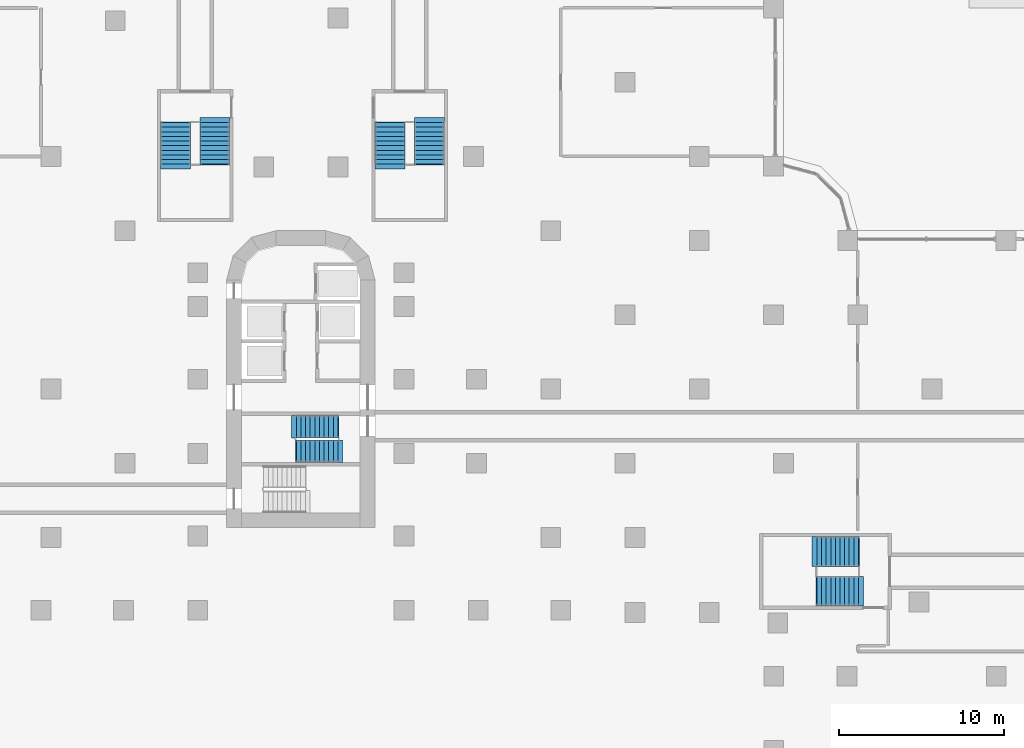
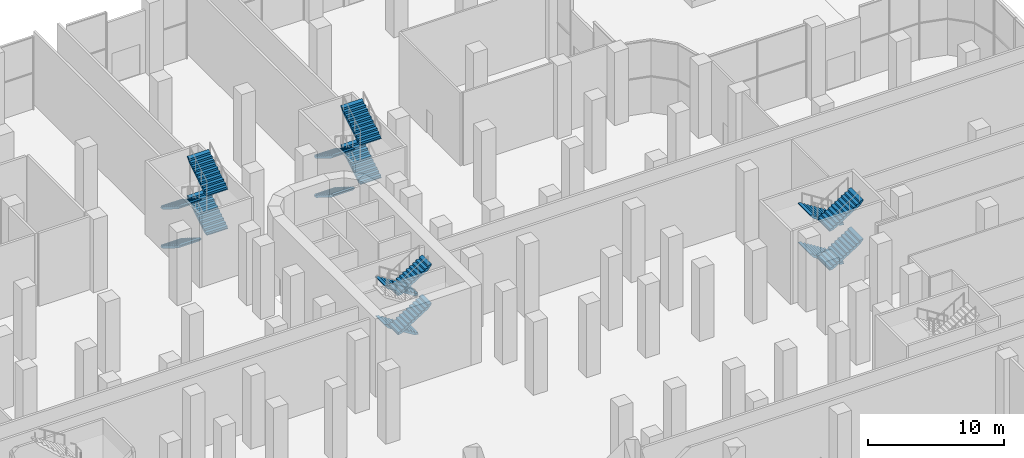
# One storey, part 29 of 34: 16 stair flights, 4 elements without a shape of their own.
"""IFC4 building model written with IfcOpenShell, lengths in metres."""

from ifc_helpers import new_model, si_unit, direction, frame, origin, place, context, subcontext, project, spatial, polyline, outline, extrude, material, type_object, element, aggregate, save


model = new_model("IFC4")

# Units and contexts
model_context = context("Model", 3, precision=1e-05, world=origin(), true_north=direction((0.0, 1.0)))
body_context = subcontext(model_context, "Body", "Model", "MODEL_VIEW")
ifc_project = project(units=[si_unit("LENGTHUNIT", "METRE"), si_unit("AREAUNIT", "SQUARE_METRE"), si_unit("VOLUMEUNIT", "CUBIC_METRE"), si_unit("PLANEANGLEUNIT", "RADIAN"), si_unit("MASSUNIT", "GRAM", prefix="KILO")], contexts=[model_context])

# Site, building, storey
site_placement = place(None, origin())
site = spatial("IfcSite", under=ifc_project, at=site_placement, CompositionType="ELEMENT")
building_placement = place(site_placement, origin())
building = spatial("IfcBuilding", under=site, at=building_placement, Name="Zarbagh Exchange Tower", CompositionType="ELEMENT")
storey_placement = place(building_placement, origin())
storey = spatial("IfcBuildingStorey", under=building, at=storey_placement, Name="L00", CompositionType="ELEMENT", Elevation=0.0)

# Stair, stair flights
ifc_material = material(Name="Concrete C40/50", Category="concrete")
stair_type = type_object("IfcStairType", Name="Exit stair two-flight half-turn", PredefinedType="HALF_TURN_STAIR", material=ifc_material)
stair_1_placement = place(storey_placement, origin())
stair_1 = element("IfcStair", 1, at=stair_1_placement, inside=storey, type_object=stair_type, Name="exit stair ST1", PredefinedType="HALF_TURN_STAIR")
stair_flight_type_1 = type_object("IfcStairFlightType", Name="Stair flight 1350 mm", PredefinedType="STRAIGHT", material=ifc_material)
stair_flight_1_placement = place(storey_placement, frame((2.25, 17.375, 0.0), z_axis=(0.0, 0.0, 1.0), x_axis=(-1.0, 0.0, 0.0)))
stair_flight_1 = element("IfcStairFlight", 2, at=stair_flight_1_placement, type_object=stair_flight_type_1, Name="ST1 flight 1", NumberOfRisers=10, NumberOfTreads=9, PredefinedType="STRAIGHT", RiserHeight=0.175, TreadLength=0.28, context=body_context, shape_type="SweptSolid", body=[
    extrude(outline(polyline([(-0.050048828125, -0.050048828125), (-0.050048828125, 0.0), (0.0, 0.0), (0.0, 0.175048828125), (0.280029296875, 0.175048828125), (0.280029296875, 0.35009765625), (0.56005859375, 0.35009765625), (0.56005859375, 0.52490234375), (0.840087890625, 0.52490234375), (0.840087890625, 0.699951171875), (1.1201171875, 0.699951171875), (1.1201171875, 0.875), (1.39990234375, 0.875), (1.39990234375, 1.050048828125), (1.679931640625, 1.050048828125), (1.679931640625, 1.22509765625), (1.9599609375, 1.22509765625), (1.9599609375, 1.39990234375), (2.239990234375, 1.39990234375), (2.239990234375, 1.574951171875), (2.52001953125, 1.574951171875), (2.52001953125, 1.75), (2.820068359375, 1.830078125), (2.820068359375, 1.75), (2.52001953125, 1.398193359375), (0.28271484375, 0.0), (-0.050048828125, -0.050048828125)])), frame((0.0, 0.675048828125, 0.0), z_axis=(0.0, -1.0, 0.0), x_axis=(1.0, 0.0, 0.0)), (0.0, 0.0, 1.0), 1.35009765625),
])
stair_flight_2_placement = place(storey_placement, frame((-0.27001953125, 15.875, 1.75), z_axis=(0.0, 0.0, 1.0), x_axis=(1.0, 0.0, 0.0)))
stair_flight_2 = element("IfcStairFlight", 3, at=stair_flight_2_placement, type_object=stair_flight_type_1, Name="ST1 flight 2", NumberOfRisers=10, NumberOfTreads=9, PredefinedType="STRAIGHT", RiserHeight=0.175, TreadLength=0.28, context=body_context, shape_type="SweptSolid", body=[
    extrude(outline(polyline([(-0.050048828125, -0.050048828125), (-0.050048828125, 0.0), (0.0, 0.0), (0.0, 0.175048828125), (0.280029296875, 0.175048828125), (0.280029296875, 0.35009765625), (0.56005859375, 0.35009765625), (0.56005859375, 0.52490234375), (0.840087890625, 0.52490234375), (0.840087890625, 0.699951171875), (1.1201171875, 0.699951171875), (1.1201171875, 0.875), (1.39990234375, 0.875), (1.39990234375, 1.050048828125), (1.679931640625, 1.050048828125), (1.679931640625, 1.22509765625), (1.9599609375, 1.22509765625), (1.9599609375, 1.39990234375), (2.239990234375, 1.39990234375), (2.239990234375, 1.574951171875), (2.52001953125, 1.574951171875), (2.52001953125, 1.75), (2.820068359375, 1.830078125), (2.820068359375, 1.75), (2.52001953125, 1.398193359375), (0.28271484375, 0.0), (-0.050048828125, -0.050048828125)])), frame((0.0, 0.675048828125, 0.0), z_axis=(0.0, -1.0, 0.0), x_axis=(1.0, 0.0, 0.0)), (0.0, 0.0, 1.0), 1.35009765625),
])
stair_flight_3_placement = place(storey_placement, frame((2.25, 17.375, 3.5), z_axis=(0.0, 0.0, 1.0), x_axis=(-1.0, 0.0, 0.0)))
stair_flight_3 = element("IfcStairFlight", 4, at=stair_flight_3_placement, type_object=stair_flight_type_1, Name="ST1 flight 3", NumberOfRisers=10, NumberOfTreads=9, PredefinedType="STRAIGHT", RiserHeight=0.175, TreadLength=0.28, context=body_context, shape_type="SweptSolid", body=[
    extrude(outline(polyline([(-0.050048828125, -0.050048828125), (-0.050048828125, 0.0), (0.0, 0.0), (0.0, 0.175048828125), (0.280029296875, 0.175048828125), (0.280029296875, 0.35009765625), (0.56005859375, 0.35009765625), (0.56005859375, 0.52490234375), (0.840087890625, 0.52490234375), (0.840087890625, 0.699951171875), (1.1201171875, 0.699951171875), (1.1201171875, 0.875), (1.39990234375, 0.875), (1.39990234375, 1.050048828125), (1.679931640625, 1.050048828125), (1.679931640625, 1.22509765625), (1.9599609375, 1.22509765625), (1.9599609375, 1.39990234375), (2.239990234375, 1.39990234375), (2.239990234375, 1.574951171875), (2.52001953125, 1.574951171875), (2.52001953125, 1.75), (2.820068359375, 1.830078125), (2.820068359375, 1.75), (2.52001953125, 1.398193359375), (0.28271484375, 0.0), (-0.050048828125, -0.050048828125)])), frame((0.0, 0.675048828125, 0.0), z_axis=(0.0, -1.0, 0.0), x_axis=(1.0, 0.0, 0.0)), (0.0, 0.0, 1.0), 1.35009765625),
])
stair_flight_4_placement = place(storey_placement, frame((-0.27001953125, 15.875, 5.25), z_axis=(0.0, 0.0, 1.0), x_axis=(1.0, 0.0, 0.0)))
stair_flight_4 = element("IfcStairFlight", 5, at=stair_flight_4_placement, type_object=stair_flight_type_1, Name="ST1 flight 4", NumberOfRisers=10, NumberOfTreads=9, PredefinedType="STRAIGHT", RiserHeight=0.175, TreadLength=0.28, context=body_context, shape_type="SweptSolid", body=[
    extrude(outline(polyline([(-0.050048828125, -0.050048828125), (-0.050048828125, 0.0), (0.0, 0.0), (0.0, 0.175048828125), (0.280029296875, 0.175048828125), (0.280029296875, 0.35009765625), (0.56005859375, 0.35009765625), (0.56005859375, 0.52490234375), (0.840087890625, 0.52490234375), (0.840087890625, 0.699951171875), (1.1201171875, 0.699951171875), (1.1201171875, 0.875), (1.39990234375, 0.875), (1.39990234375, 1.050048828125), (1.679931640625, 1.050048828125), (1.679931640625, 1.22509765625), (1.9599609375, 1.22509765625), (1.9599609375, 1.39990234375), (2.239990234375, 1.39990234375), (2.239990234375, 1.574951171875), (2.52001953125, 1.574951171875), (2.52001953125, 1.75), (2.820068359375, 1.830078125), (2.820068359375, 1.75), (2.52001953125, 1.398193359375), (0.28271484375, 0.0), (-0.050048828125, -0.050048828125)])), frame((0.0, 0.675048828125, 0.0), z_axis=(0.0, -1.0, 0.0), x_axis=(1.0, 0.0, 0.0)), (0.0, 0.0, 1.0), 1.35009765625),
])
aggregate(stair_1, [stair_flight_1, stair_flight_2, stair_flight_3, stair_flight_4])

stair_2_placement = place(storey_placement, origin())
stair_2 = element("IfcStair", 6, at=stair_2_placement, inside=storey, type_object=stair_type, Name="exit stair PS1", PredefinedType="HALF_TURN_STAIR")
stair_flight_type_2 = type_object("IfcStairFlightType", Name="Stair flight 1800 mm", PredefinedType="STRAIGHT", material=ifc_material)
stair_flight_5_placement = place(storey_placement, frame((-7.60009765625, 35.800048828125, 0.0), z_axis=(0.0, 0.0, 1.0), x_axis=(0.0, -1.0, 0.0)))
stair_flight_5 = element("IfcStairFlight", 7, at=stair_flight_5_placement, type_object=stair_flight_type_2, Name="PS1 flight 1", NumberOfRisers=10, NumberOfTreads=9, PredefinedType="STRAIGHT", RiserHeight=0.175, TreadLength=0.28, context=body_context, shape_type="SweptSolid", body=[
    extrude(outline(polyline([(-0.050048828125, -0.050048828125), (-0.050048828125, 0.0), (0.0, 0.0), (0.0, 0.175048828125), (0.280029296875, 0.175048828125), (0.280029296875, 0.35009765625), (0.56005859375, 0.35009765625), (0.56005859375, 0.52490234375), (0.840087890625, 0.52490234375), (0.840087890625, 0.699951171875), (1.1201171875, 0.699951171875), (1.1201171875, 0.875), (1.39990234375, 0.875), (1.39990234375, 1.050048828125), (1.679931640625, 1.050048828125), (1.679931640625, 1.22509765625), (1.9599609375, 1.22509765625), (1.9599609375, 1.39990234375), (2.239990234375, 1.39990234375), (2.239990234375, 1.574951171875), (2.52001953125, 1.574951171875), (2.52001953125, 1.75), (2.820068359375, 1.830078125), (2.820068359375, 1.75), (2.52001953125, 1.398193359375), (0.28271484375, 0.0), (-0.050048828125, -0.050048828125)])), frame((0.0, 0.89990234375, 0.0), z_axis=(0.0, -1.0, 0.0), x_axis=(1.0, 0.0, 0.0)), (0.0, 0.0, 1.0), 1.800048828125),
])
stair_flight_6_placement = place(storey_placement, frame((-5.199951171875, 33.280029296875, 1.75), z_axis=(0.0, 0.0, 1.0), x_axis=(0.0, 1.0, 0.0)))
stair_flight_6 = element("IfcStairFlight", 8, at=stair_flight_6_placement, type_object=stair_flight_type_2, Name="PS1 flight 2", NumberOfRisers=10, NumberOfTreads=9, PredefinedType="STRAIGHT", RiserHeight=0.175, TreadLength=0.28, context=body_context, shape_type="SweptSolid", body=[
    extrude(outline(polyline([(-0.050048828125, -0.050048828125), (-0.050048828125, 0.0), (0.0, 0.0), (0.0, 0.175048828125), (0.280029296875, 0.175048828125), (0.280029296875, 0.35009765625), (0.56005859375, 0.35009765625), (0.56005859375, 0.52490234375), (0.840087890625, 0.52490234375), (0.840087890625, 0.699951171875), (1.1201171875, 0.699951171875), (1.1201171875, 0.875), (1.39990234375, 0.875), (1.39990234375, 1.050048828125), (1.679931640625, 1.050048828125), (1.679931640625, 1.22509765625), (1.9599609375, 1.22509765625), (1.9599609375, 1.39990234375), (2.239990234375, 1.39990234375), (2.239990234375, 1.574951171875), (2.52001953125, 1.574951171875), (2.52001953125, 1.75), (2.820068359375, 1.830078125), (2.820068359375, 1.75), (2.52001953125, 1.398193359375), (0.28271484375, 0.0), (-0.050048828125, -0.050048828125)])), frame((0.0, 0.89990234375, 0.0), z_axis=(0.0, -1.0, 0.0), x_axis=(1.0, 0.0, 0.0)), (0.0, 0.0, 1.0), 1.800048828125),
])
stair_flight_7_placement = place(storey_placement, frame((-7.60009765625, 35.800048828125, 3.5), z_axis=(0.0, 0.0, 1.0), x_axis=(0.0, -1.0, 0.0)))
stair_flight_7 = element("IfcStairFlight", 9, at=stair_flight_7_placement, type_object=stair_flight_type_2, Name="PS1 flight 3", NumberOfRisers=10, NumberOfTreads=9, PredefinedType="STRAIGHT", RiserHeight=0.175, TreadLength=0.28, context=body_context, shape_type="SweptSolid", body=[
    extrude(outline(polyline([(-0.050048828125, -0.050048828125), (-0.050048828125, 0.0), (0.0, 0.0), (0.0, 0.175048828125), (0.280029296875, 0.175048828125), (0.280029296875, 0.35009765625), (0.56005859375, 0.35009765625), (0.56005859375, 0.52490234375), (0.840087890625, 0.52490234375), (0.840087890625, 0.699951171875), (1.1201171875, 0.699951171875), (1.1201171875, 0.875), (1.39990234375, 0.875), (1.39990234375, 1.050048828125), (1.679931640625, 1.050048828125), (1.679931640625, 1.22509765625), (1.9599609375, 1.22509765625), (1.9599609375, 1.39990234375), (2.239990234375, 1.39990234375), (2.239990234375, 1.574951171875), (2.52001953125, 1.574951171875), (2.52001953125, 1.75), (2.820068359375, 1.830078125), (2.820068359375, 1.75), (2.52001953125, 1.398193359375), (0.28271484375, 0.0), (-0.050048828125, -0.050048828125)])), frame((0.0, 0.89990234375, 0.0), z_axis=(0.0, -1.0, 0.0), x_axis=(1.0, 0.0, 0.0)), (0.0, 0.0, 1.0), 1.800048828125),
])
stair_flight_8_placement = place(storey_placement, frame((-5.199951171875, 33.280029296875, 5.25), z_axis=(0.0, 0.0, 1.0), x_axis=(0.0, 1.0, 0.0)))
stair_flight_8 = element("IfcStairFlight", 10, at=stair_flight_8_placement, type_object=stair_flight_type_2, Name="PS1 flight 4", NumberOfRisers=10, NumberOfTreads=9, PredefinedType="STRAIGHT", RiserHeight=0.175, TreadLength=0.28, context=body_context, shape_type="SweptSolid", body=[
    extrude(outline(polyline([(-0.050048828125, -0.050048828125), (-0.050048828125, 0.0), (0.0, 0.0), (0.0, 0.175048828125), (0.280029296875, 0.175048828125), (0.280029296875, 0.35009765625), (0.56005859375, 0.35009765625), (0.56005859375, 0.52490234375), (0.840087890625, 0.52490234375), (0.840087890625, 0.699951171875), (1.1201171875, 0.699951171875), (1.1201171875, 0.875), (1.39990234375, 0.875), (1.39990234375, 1.050048828125), (1.679931640625, 1.050048828125), (1.679931640625, 1.22509765625), (1.9599609375, 1.22509765625), (1.9599609375, 1.39990234375), (2.239990234375, 1.39990234375), (2.239990234375, 1.574951171875), (2.52001953125, 1.574951171875), (2.52001953125, 1.75), (2.820068359375, 1.830078125), (2.820068359375, 1.75), (2.52001953125, 1.398193359375), (0.28271484375, 0.0), (-0.050048828125, -0.050048828125)])), frame((0.0, 0.89990234375, 0.0), z_axis=(0.0, -1.0, 0.0), x_axis=(1.0, 0.0, 0.0)), (0.0, 0.0, 1.0), 1.800048828125),
])
aggregate(stair_2, [stair_flight_5, stair_flight_6, stair_flight_7, stair_flight_8])

stair_3_placement = place(storey_placement, origin())
stair_3 = element("IfcStair", 11, at=stair_3_placement, inside=storey, type_object=stair_type, Name="exit stair PS2", PredefinedType="HALF_TURN_STAIR")
stair_flight_9_placement = place(storey_placement, frame((5.39990234375, 35.800048828125, 0.0), z_axis=(0.0, 0.0, 1.0), x_axis=(0.0, -1.0, 0.0)))
stair_flight_9 = element("IfcStairFlight", 12, at=stair_flight_9_placement, type_object=stair_flight_type_2, Name="PS2 flight 1", NumberOfRisers=10, NumberOfTreads=9, PredefinedType="STRAIGHT", RiserHeight=0.175, TreadLength=0.28, context=body_context, shape_type="SweptSolid", body=[
    extrude(outline(polyline([(-0.050048828125, -0.050048828125), (-0.050048828125, 0.0), (0.0, 0.0), (0.0, 0.175048828125), (0.280029296875, 0.175048828125), (0.280029296875, 0.35009765625), (0.56005859375, 0.35009765625), (0.56005859375, 0.52490234375), (0.840087890625, 0.52490234375), (0.840087890625, 0.699951171875), (1.1201171875, 0.699951171875), (1.1201171875, 0.875), (1.39990234375, 0.875), (1.39990234375, 1.050048828125), (1.679931640625, 1.050048828125), (1.679931640625, 1.22509765625), (1.9599609375, 1.22509765625), (1.9599609375, 1.39990234375), (2.239990234375, 1.39990234375), (2.239990234375, 1.574951171875), (2.52001953125, 1.574951171875), (2.52001953125, 1.75), (2.820068359375, 1.830078125), (2.820068359375, 1.75), (2.52001953125, 1.398193359375), (0.28271484375, 0.0), (-0.050048828125, -0.050048828125)])), frame((0.0, 0.89990234375, 0.0), z_axis=(0.0, -1.0, 0.0), x_axis=(1.0, 0.0, 0.0)), (0.0, 0.0, 1.0), 1.800048828125),
])
stair_flight_10_placement = place(storey_placement, frame((7.800048828125, 33.280029296875, 1.75), z_axis=(0.0, 0.0, 1.0), x_axis=(0.0, 1.0, 0.0)))
stair_flight_10 = element("IfcStairFlight", 13, at=stair_flight_10_placement, type_object=stair_flight_type_2, Name="PS2 flight 2", NumberOfRisers=10, NumberOfTreads=9, PredefinedType="STRAIGHT", RiserHeight=0.175, TreadLength=0.28, context=body_context, shape_type="SweptSolid", body=[
    extrude(outline(polyline([(-0.050048828125, -0.050048828125), (-0.050048828125, 0.0), (0.0, 0.0), (0.0, 0.175048828125), (0.280029296875, 0.175048828125), (0.280029296875, 0.35009765625), (0.56005859375, 0.35009765625), (0.56005859375, 0.52490234375), (0.840087890625, 0.52490234375), (0.840087890625, 0.699951171875), (1.1201171875, 0.699951171875), (1.1201171875, 0.875), (1.39990234375, 0.875), (1.39990234375, 1.050048828125), (1.679931640625, 1.050048828125), (1.679931640625, 1.22509765625), (1.9599609375, 1.22509765625), (1.9599609375, 1.39990234375), (2.239990234375, 1.39990234375), (2.239990234375, 1.574951171875), (2.52001953125, 1.574951171875), (2.52001953125, 1.75), (2.820068359375, 1.830078125), (2.820068359375, 1.75), (2.52001953125, 1.398193359375), (0.28271484375, 0.0), (-0.050048828125, -0.050048828125)])), frame((0.0, 0.89990234375, 0.0), z_axis=(0.0, -1.0, 0.0), x_axis=(1.0, 0.0, 0.0)), (0.0, 0.0, 1.0), 1.800048828125),
])
stair_flight_11_placement = place(storey_placement, frame((5.39990234375, 35.800048828125, 3.5), z_axis=(0.0, 0.0, 1.0), x_axis=(0.0, -1.0, 0.0)))
stair_flight_11 = element("IfcStairFlight", 14, at=stair_flight_11_placement, type_object=stair_flight_type_2, Name="PS2 flight 3", NumberOfRisers=10, NumberOfTreads=9, PredefinedType="STRAIGHT", RiserHeight=0.175, TreadLength=0.28, context=body_context, shape_type="SweptSolid", body=[
    extrude(outline(polyline([(-0.050048828125, -0.050048828125), (-0.050048828125, 0.0), (0.0, 0.0), (0.0, 0.175048828125), (0.280029296875, 0.175048828125), (0.280029296875, 0.35009765625), (0.56005859375, 0.35009765625), (0.56005859375, 0.52490234375), (0.840087890625, 0.52490234375), (0.840087890625, 0.699951171875), (1.1201171875, 0.699951171875), (1.1201171875, 0.875), (1.39990234375, 0.875), (1.39990234375, 1.050048828125), (1.679931640625, 1.050048828125), (1.679931640625, 1.22509765625), (1.9599609375, 1.22509765625), (1.9599609375, 1.39990234375), (2.239990234375, 1.39990234375), (2.239990234375, 1.574951171875), (2.52001953125, 1.574951171875), (2.52001953125, 1.75), (2.820068359375, 1.830078125), (2.820068359375, 1.75), (2.52001953125, 1.398193359375), (0.28271484375, 0.0), (-0.050048828125, -0.050048828125)])), frame((0.0, 0.89990234375, 0.0), z_axis=(0.0, -1.0, 0.0), x_axis=(1.0, 0.0, 0.0)), (0.0, 0.0, 1.0), 1.800048828125),
])
stair_flight_12_placement = place(storey_placement, frame((7.800048828125, 33.280029296875, 5.25), z_axis=(0.0, 0.0, 1.0), x_axis=(0.0, 1.0, 0.0)))
stair_flight_12 = element("IfcStairFlight", 15, at=stair_flight_12_placement, type_object=stair_flight_type_2, Name="PS2 flight 4", NumberOfRisers=10, NumberOfTreads=9, PredefinedType="STRAIGHT", RiserHeight=0.175, TreadLength=0.28, context=body_context, shape_type="SweptSolid", body=[
    extrude(outline(polyline([(-0.050048828125, -0.050048828125), (-0.050048828125, 0.0), (0.0, 0.0), (0.0, 0.175048828125), (0.280029296875, 0.175048828125), (0.280029296875, 0.35009765625), (0.56005859375, 0.35009765625), (0.56005859375, 0.52490234375), (0.840087890625, 0.52490234375), (0.840087890625, 0.699951171875), (1.1201171875, 0.699951171875), (1.1201171875, 0.875), (1.39990234375, 0.875), (1.39990234375, 1.050048828125), (1.679931640625, 1.050048828125), (1.679931640625, 1.22509765625), (1.9599609375, 1.22509765625), (1.9599609375, 1.39990234375), (2.239990234375, 1.39990234375), (2.239990234375, 1.574951171875), (2.52001953125, 1.574951171875), (2.52001953125, 1.75), (2.820068359375, 1.830078125), (2.820068359375, 1.75), (2.52001953125, 1.398193359375), (0.28271484375, 0.0), (-0.050048828125, -0.050048828125)])), frame((0.0, 0.89990234375, 0.0), z_axis=(0.0, -1.0, 0.0), x_axis=(1.0, 0.0, 0.0)), (0.0, 0.0, 1.0), 1.800048828125),
])
aggregate(stair_3, [stair_flight_9, stair_flight_10, stair_flight_11, stair_flight_12])

stair_4_placement = place(storey_placement, origin())
stair_4 = element("IfcStair", 16, at=stair_4_placement, inside=storey, type_object=stair_type, Name="exit stair PS3", PredefinedType="HALF_TURN_STAIR")
stair_flight_13_placement = place(storey_placement, frame((33.800048828125, 9.800048828125, 0.0), z_axis=(0.0, 0.0, 1.0), x_axis=(-1.0, 0.0, 0.0)))
stair_flight_13 = element("IfcStairFlight", 17, at=stair_flight_13_placement, type_object=stair_flight_type_2, Name="PS3 flight 1", NumberOfRisers=10, NumberOfTreads=9, PredefinedType="STRAIGHT", RiserHeight=0.175, TreadLength=0.28, context=body_context, shape_type="SweptSolid", body=[
    extrude(outline(polyline([(-0.050048828125, -0.050048828125), (-0.050048828125, 0.0), (0.0, 0.0), (0.0, 0.175048828125), (0.280029296875, 0.175048828125), (0.280029296875, 0.35009765625), (0.56005859375, 0.35009765625), (0.56005859375, 0.52490234375), (0.840087890625, 0.52490234375), (0.840087890625, 0.699951171875), (1.1201171875, 0.699951171875), (1.1201171875, 0.875), (1.39990234375, 0.875), (1.39990234375, 1.050048828125), (1.679931640625, 1.050048828125), (1.679931640625, 1.22509765625), (1.9599609375, 1.22509765625), (1.9599609375, 1.39990234375), (2.239990234375, 1.39990234375), (2.239990234375, 1.574951171875), (2.52001953125, 1.574951171875), (2.52001953125, 1.75), (2.820068359375, 1.830078125), (2.820068359375, 1.75), (2.52001953125, 1.398193359375), (0.28271484375, 0.0), (-0.050048828125, -0.050048828125)])), frame((0.0, 0.89990234375, 0.0), z_axis=(0.0, -1.0, 0.0), x_axis=(1.0, 0.0, 0.0)), (0.0, 0.0, 1.0), 1.800048828125),
])
stair_flight_14_placement = place(storey_placement, frame((31.280029296875, 7.39990234375, 1.75), z_axis=(0.0, 0.0, 1.0), x_axis=(1.0, 0.0, 0.0)))
stair_flight_14 = element("IfcStairFlight", 18, at=stair_flight_14_placement, type_object=stair_flight_type_2, Name="PS3 flight 2", NumberOfRisers=10, NumberOfTreads=9, PredefinedType="STRAIGHT", RiserHeight=0.175, TreadLength=0.28, context=body_context, shape_type="SweptSolid", body=[
    extrude(outline(polyline([(-0.050048828125, -0.050048828125), (-0.050048828125, 0.0), (0.0, 0.0), (0.0, 0.175048828125), (0.280029296875, 0.175048828125), (0.280029296875, 0.35009765625), (0.56005859375, 0.35009765625), (0.56005859375, 0.52490234375), (0.840087890625, 0.52490234375), (0.840087890625, 0.699951171875), (1.1201171875, 0.699951171875), (1.1201171875, 0.875), (1.39990234375, 0.875), (1.39990234375, 1.050048828125), (1.679931640625, 1.050048828125), (1.679931640625, 1.22509765625), (1.9599609375, 1.22509765625), (1.9599609375, 1.39990234375), (2.239990234375, 1.39990234375), (2.239990234375, 1.574951171875), (2.52001953125, 1.574951171875), (2.52001953125, 1.75), (2.820068359375, 1.830078125), (2.820068359375, 1.75), (2.52001953125, 1.398193359375), (0.28271484375, 0.0), (-0.050048828125, -0.050048828125)])), frame((0.0, 0.89990234375, 0.0), z_axis=(0.0, -1.0, 0.0), x_axis=(1.0, 0.0, 0.0)), (0.0, 0.0, 1.0), 1.800048828125),
])
stair_flight_15_placement = place(storey_placement, frame((33.800048828125, 9.800048828125, 3.5), z_axis=(0.0, 0.0, 1.0), x_axis=(-1.0, 0.0, 0.0)))
stair_flight_15 = element("IfcStairFlight", 19, at=stair_flight_15_placement, type_object=stair_flight_type_2, Name="PS3 flight 3", NumberOfRisers=10, NumberOfTreads=9, PredefinedType="STRAIGHT", RiserHeight=0.175, TreadLength=0.28, context=body_context, shape_type="SweptSolid", body=[
    extrude(outline(polyline([(-0.050048828125, -0.050048828125), (-0.050048828125, 0.0), (0.0, 0.0), (0.0, 0.175048828125), (0.280029296875, 0.175048828125), (0.280029296875, 0.35009765625), (0.56005859375, 0.35009765625), (0.56005859375, 0.52490234375), (0.840087890625, 0.52490234375), (0.840087890625, 0.699951171875), (1.1201171875, 0.699951171875), (1.1201171875, 0.875), (1.39990234375, 0.875), (1.39990234375, 1.050048828125), (1.679931640625, 1.050048828125), (1.679931640625, 1.22509765625), (1.9599609375, 1.22509765625), (1.9599609375, 1.39990234375), (2.239990234375, 1.39990234375), (2.239990234375, 1.574951171875), (2.52001953125, 1.574951171875), (2.52001953125, 1.75), (2.820068359375, 1.830078125), (2.820068359375, 1.75), (2.52001953125, 1.398193359375), (0.28271484375, 0.0), (-0.050048828125, -0.050048828125)])), frame((0.0, 0.89990234375, 0.0), z_axis=(0.0, -1.0, 0.0), x_axis=(1.0, 0.0, 0.0)), (0.0, 0.0, 1.0), 1.800048828125),
])
stair_flight_16_placement = place(storey_placement, frame((31.280029296875, 7.39990234375, 5.25), z_axis=(0.0, 0.0, 1.0), x_axis=(1.0, 0.0, 0.0)))
stair_flight_16 = element("IfcStairFlight", 20, at=stair_flight_16_placement, type_object=stair_flight_type_2, Name="PS3 flight 4", NumberOfRisers=10, NumberOfTreads=9, PredefinedType="STRAIGHT", RiserHeight=0.175, TreadLength=0.28, context=body_context, shape_type="SweptSolid", body=[
    extrude(outline(polyline([(-0.050048828125, -0.050048828125), (-0.050048828125, 0.0), (0.0, 0.0), (0.0, 0.175048828125), (0.280029296875, 0.175048828125), (0.280029296875, 0.35009765625), (0.56005859375, 0.35009765625), (0.56005859375, 0.52490234375), (0.840087890625, 0.52490234375), (0.840087890625, 0.699951171875), (1.1201171875, 0.699951171875), (1.1201171875, 0.875), (1.39990234375, 0.875), (1.39990234375, 1.050048828125), (1.679931640625, 1.050048828125), (1.679931640625, 1.22509765625), (1.9599609375, 1.22509765625), (1.9599609375, 1.39990234375), (2.239990234375, 1.39990234375), (2.239990234375, 1.574951171875), (2.52001953125, 1.574951171875), (2.52001953125, 1.75), (2.820068359375, 1.830078125), (2.820068359375, 1.75), (2.52001953125, 1.398193359375), (0.28271484375, 0.0), (-0.050048828125, -0.050048828125)])), frame((0.0, 0.89990234375, 0.0), z_axis=(0.0, -1.0, 0.0), x_axis=(1.0, 0.0, 0.0)), (0.0, 0.0, 1.0), 1.800048828125),
])
aggregate(stair_4, [stair_flight_13, stair_flight_14, stair_flight_15, stair_flight_16])

save(model, "model.ifc")
